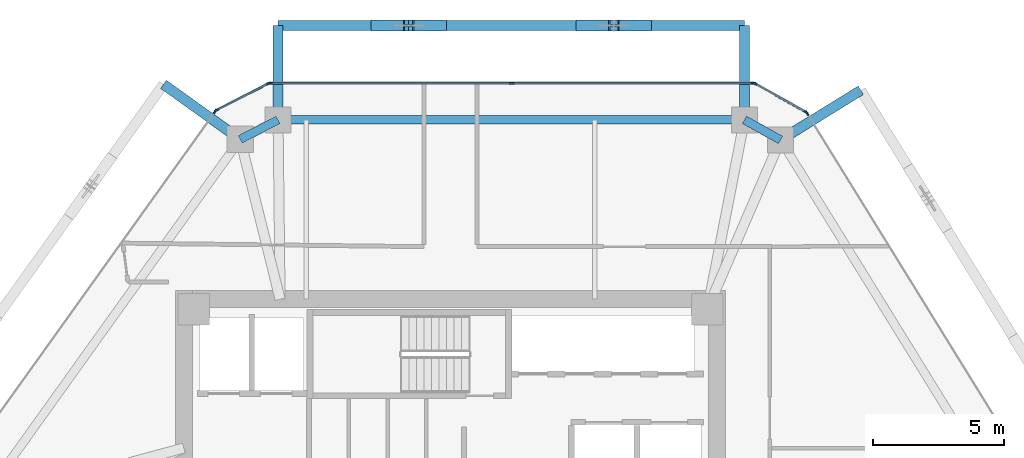
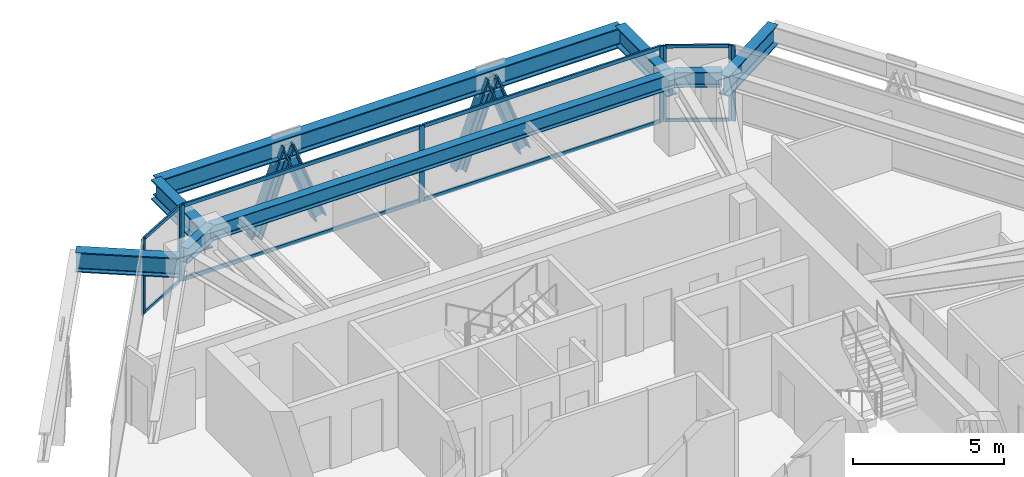
# One storey, part 6 of 13: 21 members, 8 beams, 5 elements without a shape of their own.
"""IFC4 building model written with IfcOpenShell, lengths in metres."""

from ifc_helpers import new_model, si_unit, direction, frame, origin, origin_2d, place, context, subcontext, project, spatial, rectangle, i_section, extrude, source, transform, mapped, material, layer, layer_set, material_profile, profile_set, type_object, type_shapes, element, aggregate, save


model = new_model("IFC4")

# Units and contexts
model_context = context("Model", 3, precision=1e-05, world=origin(), true_north=direction((0.0, 1.0)))
body_context = subcontext(model_context, "Body", "Model", "MODEL_VIEW")
ifc_project = project(units=[si_unit("LENGTHUNIT", "METRE"), si_unit("AREAUNIT", "SQUARE_METRE"), si_unit("VOLUMEUNIT", "CUBIC_METRE"), si_unit("PLANEANGLEUNIT", "RADIAN"), si_unit("MASSUNIT", "GRAM", prefix="KILO")], contexts=[model_context])

# Site, building, storey
site_placement = place(None, origin())
site = spatial("IfcSite", under=ifc_project, at=site_placement, CompositionType="ELEMENT")
building_placement = place(site_placement, origin())
building = spatial("IfcBuilding", under=site, at=building_placement, Name="Durnholm Broadcast Tower", CompositionType="ELEMENT")
storey_placement = place(building_placement, frame((0.0, 0.0, 167.199951171875)))
storey = spatial("IfcBuildingStorey", under=building, at=storey_placement, Name="L45", CompositionType="ELEMENT", Elevation=167.199951171875)

# Beams
ifc_material_1 = material(Name="Steel ASTM A992 Grade 50", Category="steel")
ifc_material_profile_1 = material_profile(ifc_material_1, i_section(OverallWidth=0.385009765625, OverallDepth=0.802978515625, WebThickness=0.023681640625, FlangeThickness=0.0419921875, FilletRadius=0.032958984375, at=origin_2d()), Name="W30X261")
ifc_profile_set_1 = profile_set([ifc_material_profile_1], Name="Steel ASTM A992 Grade 50")
beam_type_1 = type_object("IfcBeamType", Name="BM-EXO-TIE", PredefinedType="USERDEFINED", material=ifc_profile_set_1)
shared_shape_1 = source(origin(), body_context, "Body", "SweptSolid", [
    extrude(i_section(OverallWidth=0.385009765625, OverallDepth=0.802978515625, WebThickness=0.023681640625, FlangeThickness=0.0419921875, FilletRadius=0.032958984375, at=origin_2d()), origin(), (0.0, 0.0, 1.0), 3.4560546875),
])
for number, where, z_axis, x_axis, name in (
    (1, (12.713134765625, 14.327880859375, 2.30859375), (0.850662348375, 0.525712439512, 0.0), (-0.525712439512, 0.850662348375, 0.0), "L45 exoskeleton stand-off tie bracket F3.2"),
    (2, (-8.138916015625, 14.360107421875, 2.30859375), (-0.813079048773, 0.582153296346, 0.0), (-0.582153296346, -0.813079048773, 0.0), "L45 exoskeleton stand-off tie bracket F5.1"),
):
    element("IfcBeam", number, at=place(storey_placement, frame(where, z_axis=z_axis, x_axis=x_axis)), inside=storey, type_object=beam_type_1, Name=name, ObjectType="GIRDER", PredefinedType="USERDEFINED", context=body_context, shape_type="MappedRepresentation", body=[
        mapped(shared_shape_1, transform((0.0, 0.0, 0.0), x_axis=(1.0, 0.0, 0.0), y_axis=(0.0, 1.0, 0.0), z_axis=(0.0, 0.0, 1.0), scale=1.0)),
    ])
shared_shape_2 = source(origin(), body_context, "Body", "SweptSolid", [
    extrude(i_section(OverallWidth=0.385009765625, OverallDepth=0.802978515625, WebThickness=0.023681640625, FlangeThickness=0.0419921875, FilletRadius=0.032958984375, at=origin_2d()), origin(), (0.0, 0.0, 1.0), 3.455810546875),
])
for number, where, z_axis, x_axis, name in (
    (3, (11.217529296875, 15.162109375, 2.30859375), (0.0, 1.0, 0.0), (-1.0, 0.0, 0.0), "L45 exoskeleton stand-off tie bracket F4.1"),
    (4, (-6.57861328125, 15.162109375, 2.30859375), (0.0, 1.0, 0.0), (-1.0, 0.0, 0.0), "L45 exoskeleton stand-off tie bracket F4.2"),
):
    element("IfcBeam", number, at=place(storey_placement, frame(where, z_axis=z_axis, x_axis=x_axis)), inside=storey, type_object=beam_type_1, Name=name, ObjectType="GIRDER", PredefinedType="USERDEFINED", context=body_context, shape_type="MappedRepresentation", body=[
        mapped(shared_shape_2, transform((0.0, 0.0, 0.0), x_axis=(1.0, 0.0, 0.0), y_axis=(0.0, 1.0, 0.0), z_axis=(0.0, 0.0, 1.0), scale=1.0)),
    ])
ifc_material_profile_2 = material_profile(ifc_material_1, i_section(OverallWidth=0.3251953125, OverallDepth=0.6162109375, WebThickness=0.013916015625, FlangeThickness=0.021484375, FilletRadius=0.02783203125, at=origin_2d()), Name="W24X117")
ifc_profile_set_2 = profile_set([ifc_material_profile_2], Name="Steel ASTM A992 Grade 50")
beam_type_2 = type_object("IfcBeamType", Name="STL-SP-W24X117", PredefinedType="SPANDREL", material=ifc_profile_set_2)
shared_shape_3 = source(origin(), body_context, "Body", "SweptSolid", [
    extrude(i_section(OverallWidth=0.3251953125, OverallDepth=0.6162109375, WebThickness=0.013916015625, FlangeThickness=0.021484375, FilletRadius=0.02783203125, at=origin_2d()), origin(), (0.0, 0.0, 1.0), 1.62255859375),
])
beam_1_placement = place(storey_placement, frame((-8.021728515625, 14.2763671875, 2.737060546875), z_axis=(0.889406668864, 0.45711680934, 0.0), x_axis=(-0.45711680934, 0.889406668864, 0.0)))
element("IfcBeam", 5, at=beam_1_placement, inside=storey, type_object=beam_type_2, Name="L45 perimeter spandrel girder 04", PredefinedType="SPANDREL", context=body_context, shape_type="MappedRepresentation", body=[
    mapped(shared_shape_3, transform((0.0, 0.0, 0.0), x_axis=(1.0, 0.0, 0.0), y_axis=(0.0, 1.0, 0.0), z_axis=(0.0, 0.0, 1.0), scale=1.0)),
])
shared_shape_4 = source(origin(), body_context, "Body", "SweptSolid", [
    extrude(i_section(OverallWidth=0.3251953125, OverallDepth=0.6162109375, WebThickness=0.013916015625, FlangeThickness=0.021484375, FilletRadius=0.02783203125, at=origin_2d()), origin(), (0.0, 0.0, 1.0), 17.796142578125),
])
beam_2_placement = place(storey_placement, frame((-6.57861328125, 15.01806640625, 2.737060546875), z_axis=(1.0, 0.0, 0.0), x_axis=(0.0, 1.0, 0.0)))
element("IfcBeam", 6, at=beam_2_placement, inside=storey, type_object=beam_type_2, Name="L45 perimeter spandrel girder 05", PredefinedType="SPANDREL", context=body_context, shape_type="MappedRepresentation", body=[
    mapped(shared_shape_4, transform((0.0, 0.0, 0.0), x_axis=(1.0, 0.0, 0.0), y_axis=(0.0, 1.0, 0.0), z_axis=(0.0, 0.0, 1.0), scale=1.0)),
])
shared_shape_5 = source(origin(), body_context, "Body", "SweptSolid", [
    extrude(i_section(OverallWidth=0.3251953125, OverallDepth=0.6162109375, WebThickness=0.013916015625, FlangeThickness=0.021484375, FilletRadius=0.02783203125, at=origin_2d()), origin(), (0.0, 0.0, 1.0), 1.572509765625),
])
type_shapes(beam_type_2, [shared_shape_3, shared_shape_4, shared_shape_5])
beam_3_placement = place(storey_placement, frame((11.217529296875, 15.01806640625, 2.737060546875), z_axis=(0.873365144476, -0.487066037017, 0.0), x_axis=(0.487066037017, 0.873365144476, 0.0)))
element("IfcBeam", 7, at=beam_3_placement, inside=storey, type_object=beam_type_2, Name="L45 perimeter spandrel girder 06", PredefinedType="SPANDREL", context=body_context, shape_type="MappedRepresentation", body=[
    mapped(shared_shape_5, transform((0.0, 0.0, 0.0), x_axis=(1.0, 0.0, 0.0), y_axis=(0.0, 1.0, 0.0), z_axis=(0.0, 0.0, 1.0), scale=1.0)),
])
shared_shape_6 = source(origin(), body_context, "Body", "SweptSolid", [
    extrude(i_section(OverallWidth=0.385009765625, OverallDepth=0.802978515625, WebThickness=0.023681640625, FlangeThickness=0.0419921875, FilletRadius=0.032958984375, at=origin_2d()), origin(), (0.0, 0.0, 1.0), 17.796142578125),
])
type_shapes(beam_type_1, [shared_shape_1, shared_shape_2, shared_shape_6])
beam_4_placement = place(storey_placement, frame((11.217529296875, 18.617919921875, 2.30859375), z_axis=(-1.0, 0.0, 0.0), x_axis=(0.0, -1.0, 0.0)))
element("IfcBeam", 8, at=beam_4_placement, inside=storey, type_object=beam_type_1, Name="L45 exoskeleton collector spandrel F4", PredefinedType="SPANDREL", context=body_context, shape_type="MappedRepresentation", body=[
    mapped(shared_shape_6, transform((0.0, 0.0, 0.0), x_axis=(1.0, 0.0, 0.0), y_axis=(0.0, 1.0, 0.0), z_axis=(0.0, 0.0, 1.0), scale=1.0)),
])

# Members
ifc_material_2 = material(Name="Steel ASTM A913 Grade 65", Category="steel")
ifc_material_profile_3 = material_profile(ifc_material_2, i_section(OverallWidth=0.412109375, OverallDepth=0.434814453125, WebThickness=0.035888671875, FlangeThickness=0.057373046875, FilletRadius=0.030517578125, at=origin_2d()), Name="W14X311")
ifc_profile_set_3 = profile_set([ifc_material_profile_3], Name="Steel ASTM A913 Grade 65")
member_type_1 = type_object("IfcMemberType", Name="STL-DG-W14X311", PredefinedType="BRACE", material=ifc_profile_set_3)
shared_shape_7 = source(origin(), body_context, "Body", "SweptSolid", [
    extrude(i_section(OverallWidth=0.412109375, OverallDepth=0.434814453125, WebThickness=0.035888671875, FlangeThickness=0.057373046875, FilletRadius=0.030517578125, at=origin_2d()), origin(), (0.0, 0.0, 1.0), 3.523193359375),
])
type_shapes(member_type_1, [shared_shape_7])
for number, where, z_axis, x_axis, name in (
    (9, (7.468505859375, 18.617919921875, -0.991455078125), (-0.350219588454, 0.0, 0.936667625075), (0.0, -1.0, 0.0), "L45 stand-off diagrid brace F4.D1.1"),
    (10, (5.000732421875, 18.617919921875, -0.991455078125), (0.350219588454, 0.0, 0.936667625075), (0.0, 1.0, 0.0), "L45 stand-off diagrid brace F4.D1.2"),
    (11, (-0.36181640625, 18.617919921875, -0.991455078125), (-0.350219588454, 0.0, 0.936667625075), (0.0, -1.0, 0.0), "L45 stand-off diagrid brace F4.D2.1"),
    (12, (-2.82958984375, 18.617919921875, -0.991455078125), (0.350219588454, 0.0, 0.936667625075), (0.0, 1.0, 0.0), "L45 stand-off diagrid brace F4.D2.2"),
):
    element("IfcMember", number, at=place(storey_placement, frame(where, z_axis=z_axis, x_axis=x_axis)), inside=storey, type_object=member_type_1, Name=name, PredefinedType="BRACE", context=body_context, shape_type="MappedRepresentation", body=[
        mapped(shared_shape_7, transform((0.0, 0.0, 0.0), x_axis=(1.0, 0.0, 0.0), y_axis=(0.0, 1.0, 0.0), z_axis=(0.0, 0.0, 1.0), scale=1.0)),
    ])

# Curtain wall, members
ifc_material_3 = material(Name="Aluminium and Solar Control IGU", Category="aluminium")
ifc_layer_1 = layer(ifc_material_3, 0.1650390625)
ifc_layer_set_1 = layer_set([ifc_layer_1], Name="Aluminium and Solar Control IGU")
curtain_wall_type_1 = type_object("IfcCurtainWallType", Name="CW-SYS-5", PredefinedType="NOTDEFINED", material=ifc_layer_set_1)
curtain_wall_1_placement = place(storey_placement, origin())
curtain_wall_1 = element("IfcCurtainWall", 13, at=curtain_wall_1_placement, inside=storey, type_object=curtain_wall_type_1, Name="L45 curtain wall CW-CORNER CW-L45-CRN-03", PredefinedType="NOTDEFINED")
ifc_material_4 = material(Name="Aluminium 6063-T6", Category="aluminium")
ifc_material_profile_4 = material_profile(ifc_material_4, rectangle(XDim=0.06494140625, YDim=0.1650390625, at=origin_2d()), Name="CWM65X165")
ifc_profile_set_4 = profile_set([ifc_material_profile_4], Name="Aluminium 6063-T6")
member_type_2 = type_object("IfcMemberType", Name="CW-SYS-5-MUL", PredefinedType="MULLION", material=ifc_profile_set_4)
shared_shape_8 = source(origin(), body_context, "Body", "SweptSolid", [
    extrude(rectangle(XDim=0.06494140625, YDim=0.1650390625, at=origin_2d()), origin(), (0.0, 0.0, 1.0), 3.06005859375),
])
type_shapes(member_type_2, [shared_shape_8])
member_1_placement = place(storey_placement, frame((-8.93408203125, 15.381591796875, 0.0), z_axis=(0.0, 0.0, 1.0), x_axis=(-0.457081764476, 0.889424679545, 0.0)))
member_1 = element("IfcMember", 14, at=member_1_placement, type_object=member_type_2, Name="CW-CORNER mullion 1", PredefinedType="MULLION", context=body_context, shape_type="MappedRepresentation", body=[
    mapped(shared_shape_8, transform((0.0, 0.0, 0.0), x_axis=(1.0, 0.0, 0.0), y_axis=(0.0, 1.0, 0.0), z_axis=(0.0, 0.0, 1.0), scale=1.0)),
])
member_2_placement = place(storey_placement, frame((-6.9462890625, 16.403076171875, 0.0), z_axis=(0.0, 0.0, 1.0), x_axis=(-0.457081764476, 0.889424679545, 0.0)))
member_2 = element("IfcMember", 15, at=member_2_placement, type_object=member_type_2, Name="CW-CORNER mullion 2", PredefinedType="MULLION", context=body_context, shape_type="MappedRepresentation", body=[
    mapped(shared_shape_8, transform((0.0, 0.0, 0.0), x_axis=(1.0, 0.0, 0.0), y_axis=(0.0, 1.0, 0.0), z_axis=(0.0, 0.0, 1.0), scale=1.0)),
])

curtain_wall_2_placement = place(storey_placement, origin())
curtain_wall_2 = element("IfcCurtainWall", 16, at=curtain_wall_2_placement, inside=storey, type_object=curtain_wall_type_1, Name="L45 curtain wall CW-CORNER CW-L45-CRN-05", PredefinedType="NOTDEFINED")
member_3_placement = place(storey_placement, frame((11.60986328125, 16.402099609375, 0.0), z_axis=(0.0, 0.0, 1.0), x_axis=(0.486986043316, 0.873409751271, 0.0)))
member_3 = element("IfcMember", 17, at=member_3_placement, type_object=member_type_2, Name="CW-CORNER mullion 1", PredefinedType="MULLION", context=body_context, shape_type="MappedRepresentation", body=[
    mapped(shared_shape_8, transform((0.0, 0.0, 0.0), x_axis=(1.0, 0.0, 0.0), y_axis=(0.0, 1.0, 0.0), z_axis=(0.0, 0.0, 1.0), scale=1.0)),
])
member_4_placement = place(storey_placement, frame((13.56201171875, 15.313720703125, 0.0), z_axis=(0.0, 0.0, 1.0), x_axis=(0.486986043316, 0.873409751271, 0.0)))
member_4 = element("IfcMember", 18, at=member_4_placement, type_object=member_type_2, Name="CW-CORNER mullion 2", PredefinedType="MULLION", context=body_context, shape_type="MappedRepresentation", body=[
    mapped(shared_shape_8, transform((0.0, 0.0, 0.0), x_axis=(1.0, 0.0, 0.0), y_axis=(0.0, 1.0, 0.0), z_axis=(0.0, 0.0, 1.0), scale=1.0)),
])

# Member
ifc_material_profile_5 = material_profile(ifc_material_4, rectangle(XDim=0.06494140625, YDim=0.1298828125, at=origin_2d()), Name="CWT65X130")
ifc_profile_set_5 = profile_set([ifc_material_profile_5], Name="Aluminium 6063-T6")
member_type_3 = type_object("IfcMemberType", Name="CW-SYS-5-TRN", PredefinedType="USERDEFINED", material=ifc_profile_set_5)
shared_shape_9 = source(origin(), body_context, "Body", "SweptSolid", [
    extrude(rectangle(XDim=0.06494140625, YDim=0.1298828125, at=origin_2d()), origin(), (0.0, 0.0, 1.0), 2.169921875),
])
type_shapes(member_type_3, [shared_shape_9])
member_5_placement = place(storey_placement, frame((-8.9052734375, 15.396484375, 0.032470703125), z_axis=(0.889468148591, 0.456997169185, 0.0), x_axis=(-0.456997169185, 0.889468148591, 0.0)))
member_5 = element("IfcMember", 19, at=member_5_placement, type_object=member_type_3, Name="CW-CORNER transom 1.1", ObjectType="TRANSOM", PredefinedType="USERDEFINED", context=body_context, shape_type="MappedRepresentation", body=[
    mapped(shared_shape_9, transform((0.0, 0.0, 0.0), x_axis=(1.0, 0.0, 0.0), y_axis=(0.0, 1.0, 0.0), z_axis=(0.0, 0.0, 1.0), scale=1.0)),
])

member_6_placement = place(storey_placement, frame((-8.9052734375, 15.396484375, 3.027587890625), z_axis=(0.889468148591, 0.456997169185, 0.0), x_axis=(-0.456997169185, 0.889468148591, 0.0)))
member_6 = element("IfcMember", 20, at=member_6_placement, type_object=member_type_3, Name="CW-CORNER transom 1.2", ObjectType="TRANSOM", PredefinedType="USERDEFINED", context=body_context, shape_type="MappedRepresentation", body=[
    mapped(shared_shape_9, transform((0.0, 0.0, 0.0), x_axis=(1.0, 0.0, 0.0), y_axis=(0.0, 1.0, 0.0), z_axis=(0.0, 0.0, 1.0), scale=1.0)),
])

aggregate(curtain_wall_1, [member_1, member_2, member_5, member_6])

member_7_placement = place(storey_placement, frame((11.63818359375, 16.38623046875, 0.032470703125), z_axis=(0.873429215361, -0.48695113282, 0.0), x_axis=(0.48695113282, 0.873429215361, 0.0)))
member_7 = element("IfcMember", 21, at=member_7_placement, type_object=member_type_3, Name="CW-CORNER transom 1.1", ObjectType="TRANSOM", PredefinedType="USERDEFINED", context=body_context, shape_type="MappedRepresentation", body=[
    mapped(shared_shape_9, transform((0.0, 0.0, 0.0), x_axis=(1.0, 0.0, 0.0), y_axis=(0.0, 1.0, 0.0), z_axis=(0.0, 0.0, 1.0), scale=1.0)),
])

member_8_placement = place(storey_placement, frame((11.63818359375, 16.38623046875, 3.027587890625), z_axis=(0.873429215361, -0.48695113282, 0.0), x_axis=(0.48695113282, 0.873429215361, 0.0)))
member_8 = element("IfcMember", 22, at=member_8_placement, type_object=member_type_3, Name="CW-CORNER transom 1.2", ObjectType="TRANSOM", PredefinedType="USERDEFINED", context=body_context, shape_type="MappedRepresentation", body=[
    mapped(shared_shape_9, transform((0.0, 0.0, 0.0), x_axis=(1.0, 0.0, 0.0), y_axis=(0.0, 1.0, 0.0), z_axis=(0.0, 0.0, 1.0), scale=1.0)),
])

aggregate(curtain_wall_2, [member_3, member_4, member_7, member_8])

# Curtain wall, members
ifc_layer_2 = layer(ifc_material_3, 0.18994140625)
ifc_layer_set_2 = layer_set([ifc_layer_2], Name="Aluminium and Solar Control IGU")
curtain_wall_type_2 = type_object("IfcCurtainWallType", Name="CW-SYS-4", PredefinedType="NOTDEFINED", material=ifc_layer_set_2)
curtain_wall_3_placement = place(storey_placement, origin())
curtain_wall_3 = element("IfcCurtainWall", 23, at=curtain_wall_3_placement, inside=storey, type_object=curtain_wall_type_2, Name="L45 curtain wall CW-Z34-VIS CW-L45-F04", PredefinedType="NOTDEFINED")
ifc_material_profile_6 = material_profile(ifc_material_4, rectangle(XDim=0.070068359375, YDim=0.14990234375, at=origin_2d()), Name="CWT70X150")
ifc_profile_set_6 = profile_set([ifc_material_profile_6], Name="Aluminium 6063-T6")
member_type_4 = type_object("IfcMemberType", Name="CW-SYS-4-TRN", PredefinedType="USERDEFINED", material=ifc_profile_set_6)
shared_shape_10 = source(origin(), body_context, "Body", "SweptSolid", [
    extrude(rectangle(XDim=0.070068359375, YDim=0.14990234375, at=origin_2d()), origin(), (0.0, 0.0, 1.0), 9.14453125),
])
type_shapes(member_type_4, [shared_shape_10])
member_9_placement = place(storey_placement, frame((-6.847412109375, 16.41796875, 0.03515625), z_axis=(1.0, 0.0, 0.0), x_axis=(0.0, 1.0, 0.0)))
member_9 = element("IfcMember", 24, at=member_9_placement, type_object=member_type_4, Name="CW-Z34-VIS transom 1.1", ObjectType="TRANSOM", PredefinedType="USERDEFINED", context=body_context, shape_type="MappedRepresentation", body=[
    mapped(shared_shape_10, transform((0.0, 0.0, 0.0), x_axis=(1.0, 0.0, 0.0), y_axis=(0.0, 1.0, 0.0), z_axis=(0.0, 0.0, 1.0), scale=1.0)),
])
member_10_placement = place(storey_placement, frame((-6.847412109375, 16.41796875, 3.025146484375), z_axis=(1.0, 0.0, 0.0), x_axis=(0.0, 1.0, 0.0)))
member_10 = element("IfcMember", 25, at=member_10_placement, type_object=member_type_4, Name="CW-Z34-VIS transom 1.2", ObjectType="TRANSOM", PredefinedType="USERDEFINED", context=body_context, shape_type="MappedRepresentation", body=[
    mapped(shared_shape_10, transform((0.0, 0.0, 0.0), x_axis=(1.0, 0.0, 0.0), y_axis=(0.0, 1.0, 0.0), z_axis=(0.0, 0.0, 1.0), scale=1.0)),
])
member_11_placement = place(storey_placement, frame((2.366943359375, 16.41796875, 0.03515625), z_axis=(1.0, 0.0, 0.0), x_axis=(0.0, 1.0, 0.0)))
member_11 = element("IfcMember", 26, at=member_11_placement, type_object=member_type_4, Name="CW-Z34-VIS transom 2.1", ObjectType="TRANSOM", PredefinedType="USERDEFINED", context=body_context, shape_type="MappedRepresentation", body=[
    mapped(shared_shape_10, transform((0.0, 0.0, 0.0), x_axis=(1.0, 0.0, 0.0), y_axis=(0.0, 1.0, 0.0), z_axis=(0.0, 0.0, 1.0), scale=1.0)),
])
member_12_placement = place(storey_placement, frame((2.366943359375, 16.41796875, 3.025146484375), z_axis=(1.0, 0.0, 0.0), x_axis=(0.0, 1.0, 0.0)))
member_12 = element("IfcMember", 27, at=member_12_placement, type_object=member_type_4, Name="CW-Z34-VIS transom 2.2", ObjectType="TRANSOM", PredefinedType="USERDEFINED", context=body_context, shape_type="MappedRepresentation", body=[
    mapped(shared_shape_10, transform((0.0, 0.0, 0.0), x_axis=(1.0, 0.0, 0.0), y_axis=(0.0, 1.0, 0.0), z_axis=(0.0, 0.0, 1.0), scale=1.0)),
])

# Curtain wall, member
curtain_wall_4_placement = place(storey_placement, origin())
curtain_wall_4 = element("IfcCurtainWall", 28, at=curtain_wall_4_placement, inside=storey, type_object=curtain_wall_type_2, Name="L45 curtain wall CW-Z34-VIS CW-L45-F02", PredefinedType="NOTDEFINED")
ifc_material_profile_7 = material_profile(ifc_material_4, rectangle(XDim=0.070068359375, YDim=0.18994140625, at=origin_2d()), Name="CWM70X190")
ifc_profile_set_7 = profile_set([ifc_material_profile_7], Name="Aluminium 6063-T6")
member_type_5 = type_object("IfcMemberType", Name="CW-SYS-4-MUL", PredefinedType="MULLION", material=ifc_profile_set_7)
shared_shape_11 = source(origin(), body_context, "Body", "SweptSolid", [
    extrude(rectangle(XDim=0.070068359375, YDim=0.18994140625, at=origin_2d()), origin(), (0.0, 0.0, 1.0), 3.06005859375),
])
type_shapes(member_type_5, [shared_shape_11])
member_13_placement = place(storey_placement, frame((-8.9833984375, 15.338134765625, 0.0), z_axis=(0.0, 0.0, 1.0), x_axis=(-0.813089262696, 0.582139030549, 0.0)))
member_13 = element("IfcMember", 29, at=member_13_placement, type_object=member_type_5, Name="CW-Z34-VIS mullion 2", PredefinedType="MULLION", context=body_context, shape_type="MappedRepresentation", body=[
    mapped(shared_shape_11, transform((0.0, 0.0, 0.0), x_axis=(1.0, 0.0, 0.0), y_axis=(0.0, 1.0, 0.0), z_axis=(0.0, 0.0, 1.0), scale=1.0)),
])
aggregate(curtain_wall_4, [member_13])

# Member
member_14_placement = place(storey_placement, frame((-6.88232421875, 16.41796875, 0.0), z_axis=(0.0, 0.0, 1.0), x_axis=(0.0, 1.0, 0.0)))
member_14 = element("IfcMember", 30, at=member_14_placement, type_object=member_type_5, Name="CW-Z34-VIS mullion 1", PredefinedType="MULLION", context=body_context, shape_type="MappedRepresentation", body=[
    mapped(shared_shape_11, transform((0.0, 0.0, 0.0), x_axis=(1.0, 0.0, 0.0), y_axis=(0.0, 1.0, 0.0), z_axis=(0.0, 0.0, 1.0), scale=1.0)),
])

member_15_placement = place(storey_placement, frame((2.33203125, 16.41796875, 0.0), z_axis=(0.0, 0.0, 1.0), x_axis=(0.0, 1.0, 0.0)))
member_15 = element("IfcMember", 31, at=member_15_placement, type_object=member_type_5, Name="CW-Z34-VIS mullion 2", PredefinedType="MULLION", context=body_context, shape_type="MappedRepresentation", body=[
    mapped(shared_shape_11, transform((0.0, 0.0, 0.0), x_axis=(1.0, 0.0, 0.0), y_axis=(0.0, 1.0, 0.0), z_axis=(0.0, 0.0, 1.0), scale=1.0)),
])

member_16_placement = place(storey_placement, frame((11.54638671875, 16.41796875, 0.0), z_axis=(0.0, 0.0, 1.0), x_axis=(0.0, 1.0, 0.0)))
member_16 = element("IfcMember", 32, at=member_16_placement, type_object=member_type_5, Name="CW-Z34-VIS mullion 3", PredefinedType="MULLION", context=body_context, shape_type="MappedRepresentation", body=[
    mapped(shared_shape_11, transform((0.0, 0.0, 0.0), x_axis=(1.0, 0.0, 0.0), y_axis=(0.0, 1.0, 0.0), z_axis=(0.0, 0.0, 1.0), scale=1.0)),
])

aggregate(curtain_wall_3, [member_14, member_15, member_16, member_9, member_10, member_11, member_12])

# Curtain wall, member
curtain_wall_5_placement = place(storey_placement, origin())
curtain_wall_5 = element("IfcCurtainWall", 33, at=curtain_wall_5_placement, inside=storey, type_object=curtain_wall_type_2, Name="L45 curtain wall CW-Z34-VIS CW-L45-F06", PredefinedType="NOTDEFINED")
member_17_placement = place(storey_placement, frame((13.608642578125, 15.26806640625, 0.0), z_axis=(0.0, 0.0, 1.0), x_axis=(0.850671426092, 0.525697750452, 0.0)))
member_17 = element("IfcMember", 34, at=member_17_placement, type_object=member_type_5, Name="CW-Z34-VIS mullion 1", PredefinedType="MULLION", context=body_context, shape_type="MappedRepresentation", body=[
    mapped(shared_shape_11, transform((0.0, 0.0, 0.0), x_axis=(1.0, 0.0, 0.0), y_axis=(0.0, 1.0, 0.0), z_axis=(0.0, 0.0, 1.0), scale=1.0)),
])
aggregate(curtain_wall_5, [member_17])

save(model, "model.ifc")
